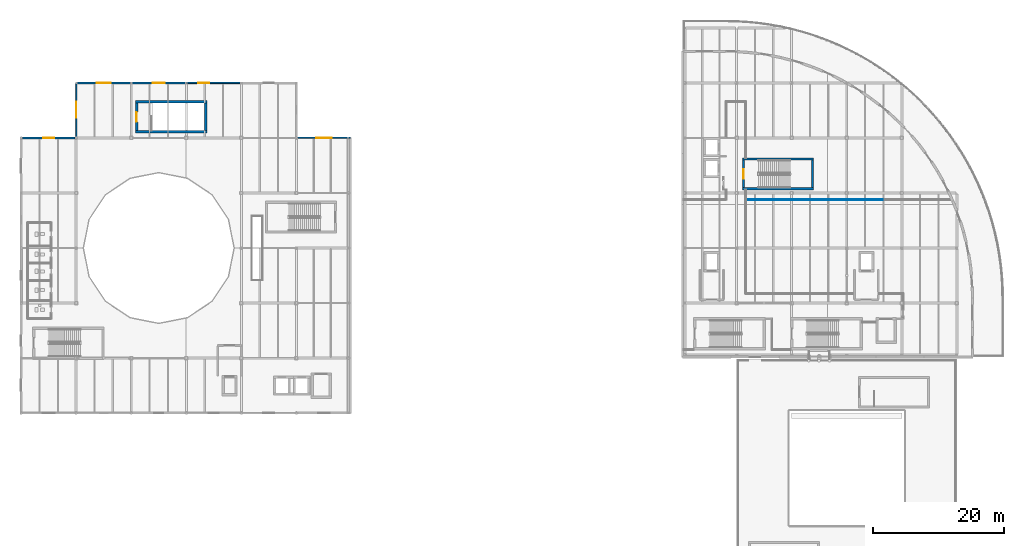
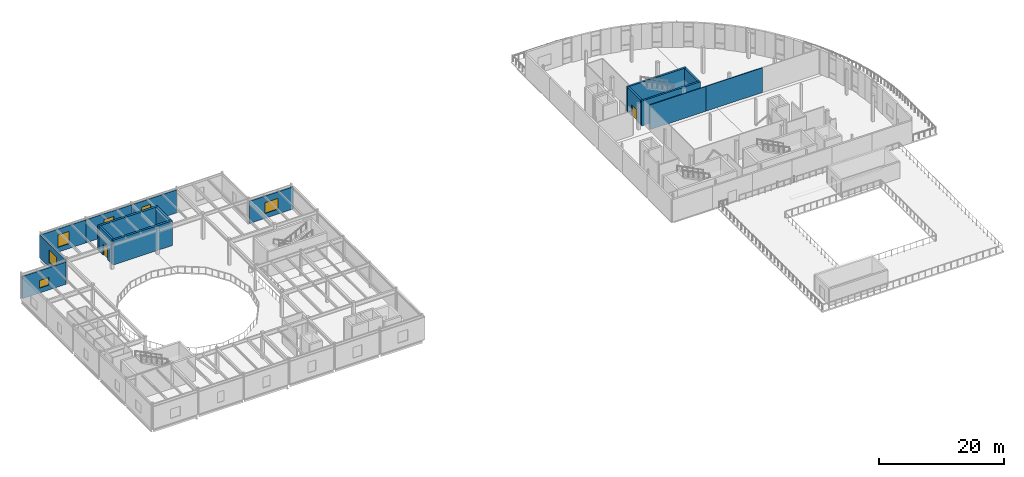
# One storey, part 35 of 57: 16 walls, 6 windows, 2 doors, 8 openings.
"""IFC4 building model written with IfcOpenShell, lengths in metres."""

from ifc_helpers import new_model, si_unit, direction, frame, frame_2d, origin, place, context, subcontext, project, spatial, rectangle, extrude, material, layer, layer_set, type_object, element, fill, save


model = new_model("IFC4")

# Units and contexts
model_context = context("Model", 3, precision=1e-05, world=origin(), true_north=direction((0.0, 1.0)))
body_context = subcontext(model_context, "Body", "Model", "MODEL_VIEW")
ifc_project = project(units=[si_unit("LENGTHUNIT", "METRE"), si_unit("AREAUNIT", "SQUARE_METRE"), si_unit("VOLUMEUNIT", "CUBIC_METRE"), si_unit("PLANEANGLEUNIT", "RADIAN"), si_unit("MASSUNIT", "GRAM", prefix="KILO"), si_unit("THERMODYNAMICTEMPERATUREUNIT", "KELVIN")], contexts=[model_context])

# Site, building, storey
site_placement = place(None, origin())
site = spatial("IfcSite", under=ifc_project, at=site_placement, CompositionType="ELEMENT")
building_placement = place(site_placement, origin())
building = spatial("IfcBuilding", under=site, at=building_placement, Name="Lustrewick Department Store", CompositionType="ELEMENT")
storey_placement = place(building_placement, frame((0.0, 0.0, 26.699951171875)))
storey = spatial("IfcBuildingStorey", under=building, at=storey_placement, Name="L06", CompositionType="ELEMENT", Elevation=26.699951171875)

# Wall, opening, window
ifc_material_1 = material(Name="Precast concrete C40", Category="concrete")
ifc_layer_1 = layer(ifc_material_1, 0.239990234375, Name="Precast concrete C40")
ifc_layer_set_1 = layer_set([ifc_layer_1], Name="Precast concrete C40")
wall_type_1 = type_object("IfcWallType", Name="EW01", PredefinedType="STANDARD", material=ifc_layer_set_1)
wall_1_placement = place(storey_placement, frame((58.64990234375, 84.0, 0.0), z_axis=(0.0, 0.0, 1.0), x_axis=(-1.0, 0.0, 0.0)))
wall_1 = element("IfcWall", 1, at=wall_1_placement, inside=storey, type_object=wall_type_1, Name="L06 V1 Exterior Wall EW01", PredefinedType="STANDARD", context=body_context, shape_type="SweptSolid", body=[
    extrude(rectangle(XDim=8.076904296875, YDim=0.239990234375, at=frame_2d((4.03857421875, 0.0))), origin(), (0.0, 0.0, 1.0), 4.3310546875),
])
opening_1_placement = place(wall_1_placement, frame((2.83837890625, 0.0, 0.949951171875)))
opening_1 = element("IfcOpeningElement", 2, at=opening_1_placement, cuts=wall_1, Name="Opening WN12", PredefinedType="OPENING", context=body_context, shape_type="SweptSolid", body=[
    extrude(rectangle(XDim=2.39990234375, YDim=2.10009765625, at=frame_2d((1.199951171875, 1.050048828125))), frame((0.0, 0.1298828125, 0.0), z_axis=(0.0, -1.0, 0.0), x_axis=(1.0, 0.0, 0.0)), (0.0, 0.0, 1.0), 0.260009765625),
])
ifc_material_2 = material(Name="Thermally broken Low-E triple-glazed window", Category="glass")
window_type_1 = type_object("IfcWindowType", Name="WN12", PartitioningType="DOUBLE_PANEL_VERTICAL", PredefinedType="WINDOW", material=ifc_material_2)
window_1_placement = place(opening_1_placement, origin())
window_1 = element("IfcWindow", 3, at=window_1_placement, inside=storey, type_object=window_type_1, Name="L06 Art Nouveau Window WN12", OverallHeight=2.10009765625, OverallWidth=2.39990234375, PartitioningType="SINGLE_PANEL", PredefinedType="WINDOW", context=body_context, shape_type="SweptSolid", body=[
    extrude(rectangle(XDim=2.39990234375, YDim=2.10009765625, at=frame_2d((1.199951171875, 1.050048828125))), frame((0.0, 0.030029296875, 0.0), z_axis=(0.0, -1.0, 0.0), x_axis=(1.0, 0.0, 0.0)), (0.0, 0.0, 1.0), 0.06005859375),
])
fill(opening_1, window_1)

wall_2_placement = place(storey_placement, frame((42.0, 92.39990234375, 0.0), z_axis=(0.0, 0.0, 1.0), x_axis=(-1.0, 0.0, 0.0)))
wall_2 = element("IfcWall", 4, at=wall_2_placement, inside=storey, type_object=wall_type_1, Name="L06 V1 Exterior Wall EW01", PredefinedType="STANDARD", context=body_context, shape_type="SweptSolid", body=[
    extrude(rectangle(XDim=8.39990234375, YDim=0.239990234375, at=frame_2d((4.199951171875, 0.0))), origin(), (0.0, 0.0, 1.0), 4.487060546875),
])
opening_2_placement = place(wall_2_placement, frame((4.8720703125, 0.0, 0.949951171875)))
opening_2 = element("IfcOpeningElement", 5, at=opening_2_placement, cuts=wall_2, Name="Opening WN15", PredefinedType="OPENING", context=body_context, shape_type="SweptSolid", body=[
    extrude(rectangle(XDim=1.679931640625, YDim=2.39990234375, at=frame_2d((0.83984375, 1.199951171875))), frame((0.0, 0.1298828125, 0.0), z_axis=(0.0, -1.0, 0.0), x_axis=(1.0, 0.0, 0.0)), (0.0, 0.0, 1.0), 0.260009765625),
])
window_type_2 = type_object("IfcWindowType", Name="WN15", PartitioningType="DOUBLE_PANEL_VERTICAL", PredefinedType="WINDOW", material=ifc_material_2)
window_2_placement = place(opening_2_placement, origin())
window_2 = element("IfcWindow", 6, at=window_2_placement, inside=storey, type_object=window_type_2, Name="L06 Art Nouveau Window WN15", OverallHeight=2.39990234375, OverallWidth=1.679931640625, PartitioningType="SINGLE_PANEL", PredefinedType="WINDOW", context=body_context, shape_type="SweptSolid", body=[
    extrude(rectangle(XDim=1.679931640625, YDim=2.39990234375, at=frame_2d((0.83984375, 1.199951171875))), frame((0.0, 0.030029296875, 0.0), z_axis=(0.0, -1.0, 0.0), x_axis=(1.0, 0.0, 0.0)), (0.0, 0.0, 1.0), 0.06005859375),
])
fill(opening_2, window_2)

wall_3_placement = place(storey_placement, frame((16.800048828125, 92.39990234375, 0.0), z_axis=(0.0, 0.0, 1.0), x_axis=(0.0, -1.0, 0.0)))
wall_3 = element("IfcWall", 7, at=wall_3_placement, inside=storey, type_object=wall_type_1, Name="L06 V1 Exterior Wall EW01", PredefinedType="STANDARD", context=body_context, shape_type="SweptSolid", body=[
    extrude(rectangle(XDim=8.226806640625, YDim=0.239990234375, at=frame_2d((4.11328125, 0.0))), origin(), (0.0, 0.0, 1.0), 4.487060546875),
])
opening_3_placement = place(wall_3_placement, frame((2.91357421875, 0.0, 0.949951171875)))
opening_3 = element("IfcOpeningElement", 8, at=opening_3_placement, cuts=wall_3, Name="Opening WN18", PredefinedType="OPENING", context=body_context, shape_type="SweptSolid", body=[
    extrude(rectangle(XDim=2.39990234375, YDim=2.39990234375, at=frame_2d((1.199951171875, 1.199951171875))), frame((0.0, 0.1298828125, 0.0), z_axis=(0.0, -1.0, 0.0), x_axis=(1.0, 0.0, 0.0)), (0.0, 0.0, 1.0), 0.260009765625),
])
window_type_3 = type_object("IfcWindowType", Name="WN18", PartitioningType="DOUBLE_PANEL_VERTICAL", PredefinedType="WINDOW", material=ifc_material_2)
window_3_placement = place(opening_3_placement, origin())
window_3 = element("IfcWindow", 9, at=window_3_placement, inside=storey, type_object=window_type_3, Name="L06 Art Nouveau Window WN18", OverallHeight=2.39990234375, OverallWidth=2.39990234375, PartitioningType="SINGLE_PANEL", PredefinedType="WINDOW", context=body_context, shape_type="SweptSolid", body=[
    extrude(rectangle(XDim=2.39990234375, YDim=2.39990234375, at=frame_2d((1.199951171875, 1.199951171875))), frame((0.0, 0.030029296875, 0.0), z_axis=(0.0, -1.0, 0.0), x_axis=(1.0, 0.0, 0.0)), (0.0, 0.0, 1.0), 0.06005859375),
])
fill(opening_3, window_3)

ifc_layer_2 = layer(ifc_material_1, 0.260009765625, Name="Precast concrete C40")
ifc_layer_set_2 = layer_set([ifc_layer_2], Name="Precast concrete C40")
wall_type_2 = type_object("IfcWallType", Name="EW02", PredefinedType="STANDARD", material=ifc_layer_set_2)
wall_4_placement = place(storey_placement, frame((33.60009765625, 92.39990234375, 0.0), z_axis=(0.0, 0.0, 1.0), x_axis=(-1.0, 0.0, 0.0)))
wall_4 = element("IfcWall", 10, at=wall_4_placement, inside=storey, type_object=wall_type_2, Name="L06 V1 Exterior Wall EW02", PredefinedType="STANDARD", context=body_context, shape_type="SweptSolid", body=[
    extrude(rectangle(XDim=8.400146484375, YDim=0.260009765625, at=frame_2d((4.2001953125, 0.0))), origin(), (0.0, 0.0, 1.0), 4.487060546875),
])
opening_4_placement = place(wall_4_placement, frame((3.300048828125, 0.0, 0.949951171875)))
opening_4 = element("IfcOpeningElement", 11, at=opening_4_placement, cuts=wall_4, Name="Opening WN16", PredefinedType="OPENING", context=body_context, shape_type="SweptSolid", body=[
    extrude(rectangle(XDim=1.800048828125, YDim=2.39990234375, at=frame_2d((0.89990234375, 1.199951171875))), frame((0.0, 0.14013671875, 0.0), z_axis=(0.0, -1.0, 0.0), x_axis=(1.0, 0.0, 0.0)), (0.0, 0.0, 1.0), 0.280029296875),
])
window_type_4 = type_object("IfcWindowType", Name="WN16", PartitioningType="DOUBLE_PANEL_VERTICAL", PredefinedType="WINDOW", material=ifc_material_2)
window_4_placement = place(opening_4_placement, origin())
window_4 = element("IfcWindow", 12, at=window_4_placement, inside=storey, type_object=window_type_4, Name="L06 Art Nouveau Window WN16", OverallHeight=2.39990234375, OverallWidth=1.800048828125, PartitioningType="SINGLE_PANEL", PredefinedType="WINDOW", context=body_context, shape_type="SweptSolid", body=[
    extrude(rectangle(XDim=1.800048828125, YDim=2.39990234375, at=frame_2d((0.89990234375, 1.199951171875))), frame((0.0, 0.030029296875, 0.0), z_axis=(0.0, -1.0, 0.0), x_axis=(1.0, 0.0, 0.0)), (0.0, 0.0, 1.0), 0.06005859375),
])
fill(opening_4, window_4)

wall_5_placement = place(storey_placement, frame((16.626953125, 84.0, 0.0), z_axis=(0.0, 0.0, 1.0), x_axis=(-1.0, 0.0, 0.0)))
wall_5 = element("IfcWall", 13, at=wall_5_placement, inside=storey, type_object=wall_type_2, Name="L06 V1 Exterior Wall EW02", PredefinedType="STANDARD", context=body_context, shape_type="SweptSolid", body=[
    extrude(rectangle(XDim=8.053955078125, YDim=0.260009765625, at=frame_2d((4.02685546875, 0.0))), origin(), (0.0, 0.0, 1.0), 4.3310546875),
])
opening_5_placement = place(wall_5_placement, frame((3.18701171875, 0.0, 0.949951171875)))
opening_5 = element("IfcOpeningElement", 14, at=opening_5_placement, cuts=wall_5, Name="Opening WN19", PredefinedType="OPENING", context=body_context, shape_type="SweptSolid", body=[
    extrude(rectangle(XDim=1.679931640625, YDim=1.5, at=frame_2d((0.83984375, 0.75))), frame((0.0, 0.14013671875, 0.0), z_axis=(0.0, -1.0, 0.0), x_axis=(1.0, 0.0, 0.0)), (0.0, 0.0, 1.0), 0.280029296875),
])
window_type_5 = type_object("IfcWindowType", Name="WN19", PartitioningType="DOUBLE_PANEL_VERTICAL", PredefinedType="WINDOW", material=ifc_material_2)
window_5_placement = place(opening_5_placement, origin())
window_5 = element("IfcWindow", 15, at=window_5_placement, inside=storey, type_object=window_type_5, Name="L06 Art Nouveau Window WN19", OverallHeight=1.5, OverallWidth=1.679931640625, PartitioningType="SINGLE_PANEL", PredefinedType="WINDOW", context=body_context, shape_type="SweptSolid", body=[
    extrude(rectangle(XDim=1.679931640625, YDim=1.5, at=frame_2d((0.83984375, 0.75))), frame((0.0, 0.030029296875, 0.0), z_axis=(0.0, -1.0, 0.0), x_axis=(1.0, 0.0, 0.0)), (0.0, 0.0, 1.0), 0.06005859375),
])
fill(opening_5, window_5)

ifc_layer_3 = layer(ifc_material_1, 0.280029296875, Name="Precast concrete C40")
ifc_layer_set_3 = layer_set([ifc_layer_3], Name="Precast concrete C40")
wall_type_3 = type_object("IfcWallType", Name="EW03", PredefinedType="STANDARD", material=ifc_layer_set_3)
wall_6_placement = place(storey_placement, frame((25.199951171875, 92.39990234375, 0.0), z_axis=(0.0, 0.0, 1.0), x_axis=(-1.0, 0.0, 0.0)))
wall_6 = element("IfcWall", 16, at=wall_6_placement, inside=storey, type_object=wall_type_3, Name="L06 V1 Exterior Wall EW03", PredefinedType="STANDARD", context=body_context, shape_type="SweptSolid", body=[
    extrude(rectangle(XDim=8.39990234375, YDim=0.280029296875, at=frame_2d((4.199951171875, 0.0))), origin(), (0.0, 0.0, 1.0), 4.487060546875),
])
opening_6_placement = place(wall_6_placement, frame((3.14990234375, 0.0, 0.949951171875)))
opening_6 = element("IfcOpeningElement", 17, at=opening_6_placement, cuts=wall_6, Name="Opening WN17", PredefinedType="OPENING", context=body_context, shape_type="SweptSolid", body=[
    extrude(rectangle(XDim=2.10009765625, YDim=2.39990234375, at=frame_2d((1.050048828125, 1.199951171875))), frame((0.0, 0.14990234375, 0.0), z_axis=(0.0, -1.0, 0.0), x_axis=(1.0, 0.0, 0.0)), (0.0, 0.0, 1.0), 0.300048828125),
])
window_type_6 = type_object("IfcWindowType", Name="WN17", PartitioningType="DOUBLE_PANEL_VERTICAL", PredefinedType="WINDOW", material=ifc_material_2)
window_6_placement = place(opening_6_placement, origin())
window_6 = element("IfcWindow", 18, at=window_6_placement, inside=storey, type_object=window_type_6, Name="L06 Art Nouveau Window WN17", OverallHeight=2.39990234375, OverallWidth=2.10009765625, PartitioningType="SINGLE_PANEL", PredefinedType="WINDOW", context=body_context, shape_type="SweptSolid", body=[
    extrude(rectangle(XDim=2.10009765625, YDim=2.39990234375, at=frame_2d((1.050048828125, 1.199951171875))), frame((0.0, 0.030029296875, 0.0), z_axis=(0.0, -1.0, 0.0), x_axis=(1.0, 0.0, 0.0)), (0.0, 0.0, 1.0), 0.06005859375),
])
fill(opening_6, window_6)

# Walls
ifc_material_3 = material(Name="Acoustic gypsum stud corridor partition", Category="gypsum")
ifc_layer_4 = layer(ifc_material_3, 0.135009765625, Name="Acoustic gypsum stud corridor partition")
ifc_layer_set_4 = layer_set([ifc_layer_4], Name="Acoustic gypsum stud corridor partition")
wall_type_4 = type_object("IfcWallType", Name="PW06", PredefinedType="PARTITIONING", material=ifc_layer_set_4)
wall_7_placement = place(storey_placement, frame((139.89990234375, 74.5439453125, 0.0), z_axis=(0.0, 0.0, 1.0), x_axis=(-1.0, 0.0, 0.0)))
element("IfcWall", 19, at=wall_7_placement, inside=storey, type_object=wall_type_4, Name="L06 Store Buying Office PW06", PredefinedType="PARTITIONING", context=body_context, shape_type="SweptSolid", body=[
    extrude(rectangle(XDim=10.44482421875, YDim=0.135009765625, at=frame_2d((5.222412109375, 0.0))), origin(), (0.0, 0.0, 1.0), 4.844970703125),
])
wall_8_placement = place(storey_placement, frame((129.455078125, 74.5439453125, 0.0), z_axis=(0.0, 0.0, 1.0), x_axis=(-1.0, 0.0, 0.0)))
element("IfcWall", 20, at=wall_8_placement, inside=storey, type_object=wall_type_4, Name="L06 Store Buying Office PW06", PredefinedType="PARTITIONING", context=body_context, shape_type="SweptSolid", body=[
    extrude(rectangle(XDim=10.382568359375, YDim=0.135009765625, at=frame_2d((5.19140625, 0.0))), origin(), (0.0, 0.0, 1.0), 4.844970703125),
])
ifc_material_4 = material(Name="Concrete C40", Category="concrete")
ifc_layer_5 = layer(ifc_material_4, 0.3798828125, Name="Concrete C40")
ifc_layer_set_5 = layer_set([ifc_layer_5], Name="Concrete C40")
wall_type_5 = type_object("IfcWallType", Name="SW03", PredefinedType="SHEAR", material=ifc_layer_set_5)
wall_9_placement = place(storey_placement, frame((25.820068359375, 84.909912109375, 0.0), z_axis=(0.0, 0.0, 1.0), x_axis=(1.0, 0.0, 0.0)))
element("IfcWall", 21, at=wall_9_placement, inside=storey, type_object=wall_type_5, Name="L06 Stair Core ST03 Shear Wall S", PredefinedType="SHEAR", context=body_context, shape_type="SweptSolid", body=[
    extrude(rectangle(XDim=10.9599609375, YDim=0.3798828125, at=frame_2d((5.47998046875, 0.0))), origin(), (0.0, 0.0, 1.0), 4.844970703125),
])
wall_10_placement = place(storey_placement, frame((36.590087890625, 85.10009765625, 0.0), z_axis=(0.0, 0.0, 1.0), x_axis=(0.0, 1.0, 0.0)))
element("IfcWall", 22, at=wall_10_placement, inside=storey, type_object=wall_type_5, Name="L06 Stair Core ST03 Shear Wall E", PredefinedType="SHEAR", context=body_context, shape_type="SweptSolid", body=[
    extrude(rectangle(XDim=4.199951171875, YDim=0.3798828125, at=frame_2d((2.10009765625, 0.0))), origin(), (0.0, 0.0, 1.0), 4.844970703125),
])
wall_11_placement = place(storey_placement, frame((36.780029296875, 89.489990234375, 0.0), z_axis=(0.0, 0.0, 1.0), x_axis=(-1.0, 0.0, 0.0)))
element("IfcWall", 23, at=wall_11_placement, inside=storey, type_object=wall_type_5, Name="L06 Stair Core ST03 Shear Wall N", PredefinedType="SHEAR", context=body_context, shape_type="SweptSolid", body=[
    extrude(rectangle(XDim=10.9599609375, YDim=0.3798828125, at=frame_2d((5.47998046875, 0.0))), origin(), (0.0, 0.0, 1.0), 4.844970703125),
])

# Wall, opening, door
wall_12_placement = place(storey_placement, frame((26.010009765625, 89.300048828125, 0.0), z_axis=(0.0, 0.0, 1.0), x_axis=(0.0, -1.0, 0.0)))
wall_12 = element("IfcWall", 24, at=wall_12_placement, inside=storey, type_object=wall_type_5, Name="L06 Stair Core ST03 Shear Wall W", PredefinedType="SHEAR", context=body_context, shape_type="SweptSolid", body=[
    extrude(rectangle(XDim=4.199951171875, YDim=0.3798828125, at=frame_2d((2.10009765625, 0.0))), origin(), (0.0, 0.0, 1.0), 4.844970703125),
])
opening_7_placement = place(wall_12_placement, frame((1.35009765625, 0.0, 0.0)))
opening_7 = element("IfcOpeningElement", 25, at=opening_7_placement, cuts=wall_12, Name="Opening D-L06-003", PredefinedType="OPENING", context=body_context, shape_type="SweptSolid", body=[
    extrude(rectangle(XDim=1.5, YDim=2.14990234375, at=frame_2d((0.75, 1.074951171875))), frame((0.0, 0.199951171875, 0.0), z_axis=(0.0, -1.0, 0.0), x_axis=(1.0, 0.0, 0.0)), (0.0, 0.0, 1.0), 0.39990234375),
])
ifc_material_5 = material(Name="Steel fire door Class B EI 60", Category="steel")
door_type = type_object("IfcDoorType", Name="DT-07", OperationType="NOTDEFINED", PredefinedType="DOOR", material=ifc_material_5)
door_1_placement = place(opening_7_placement, origin())
door_1 = element("IfcDoor", 26, at=door_1_placement, inside=storey, type_object=door_type, Name="L06 Stair ST03 Smoke-Proof Stairwell Fire Door", OperationType="SINGLE_SWING_RIGHT", OverallHeight=2.14990234375, OverallWidth=1.5, PredefinedType="DOOR", context=body_context, shape_type="SweptSolid", body=[
    extrude(rectangle(XDim=1.5, YDim=2.14990234375, at=frame_2d((0.75, 1.074951171875))), frame((0.0, 0.02490234375, 0.0), z_axis=(0.0, -1.0, 0.0), x_axis=(1.0, 0.0, 0.0)), (0.0, 0.0, 1.0), 0.050048828125),
])
fill(opening_7, door_1)

# Walls
ifc_layer_6 = layer(ifc_material_4, 0.340087890625, Name="Concrete C40")
ifc_layer_set_6 = layer_set([ifc_layer_6], Name="Concrete C40")
wall_type_6 = type_object("IfcWallType", Name="SW05", PredefinedType="SHEAR", material=ifc_layer_set_6)
wall_13_placement = place(storey_placement, frame((118.4599609375, 76.22998046875, 0.0), z_axis=(0.0, 0.0, 1.0), x_axis=(1.0, 0.0, 0.0)))
element("IfcWall", 27, at=wall_13_placement, inside=storey, type_object=wall_type_6, Name="L06 Stair Core ST10 Shear Wall S", PredefinedType="SHEAR", context=body_context, shape_type="SweptSolid", body=[
    extrude(rectangle(XDim=10.880126953125, YDim=0.340087890625, at=frame_2d((5.43994140625, 0.0))), origin(), (0.0, 0.0, 1.0), 4.844970703125),
])
wall_14_placement = place(storey_placement, frame((129.169921875, 76.39990234375, 0.0), z_axis=(0.0, 0.0, 1.0), x_axis=(0.0, 1.0, 0.0)))
element("IfcWall", 28, at=wall_14_placement, inside=storey, type_object=wall_type_6, Name="L06 Stair Core ST10 Shear Wall E", PredefinedType="SHEAR", context=body_context, shape_type="SweptSolid", body=[
    extrude(rectangle(XDim=4.2001953125, YDim=0.340087890625, at=frame_2d((2.10009765625, 0.0))), origin(), (0.0, 0.0, 1.0), 4.844970703125),
])
wall_15_placement = place(storey_placement, frame((129.340087890625, 80.77001953125, 0.0), z_axis=(0.0, 0.0, 1.0), x_axis=(-1.0, 0.0, 0.0)))
element("IfcWall", 29, at=wall_15_placement, inside=storey, type_object=wall_type_6, Name="L06 Stair Core ST10 Shear Wall N", PredefinedType="SHEAR", context=body_context, shape_type="SweptSolid", body=[
    extrude(rectangle(XDim=10.880126953125, YDim=0.340087890625, at=frame_2d((5.43994140625, 0.0))), origin(), (0.0, 0.0, 1.0), 4.844970703125),
])

# Wall, opening, door
wall_16_placement = place(storey_placement, frame((118.6298828125, 80.60009765625, 0.0), z_axis=(0.0, 0.0, 1.0), x_axis=(0.0, -1.0, 0.0)))
wall_16 = element("IfcWall", 30, at=wall_16_placement, inside=storey, type_object=wall_type_6, Name="L06 Stair Core ST10 Shear Wall W", PredefinedType="SHEAR", context=body_context, shape_type="SweptSolid", body=[
    extrude(rectangle(XDim=4.2001953125, YDim=0.340087890625, at=frame_2d((2.10009765625, 0.0))), origin(), (0.0, 0.0, 1.0), 4.844970703125),
])
opening_8_placement = place(wall_16_placement, frame((1.35009765625, 0.0, 0.0)))
opening_8 = element("IfcOpeningElement", 31, at=opening_8_placement, cuts=wall_16, Name="Opening D-L06-007", PredefinedType="OPENING", context=body_context, shape_type="SweptSolid", body=[
    extrude(rectangle(XDim=1.5, YDim=2.14990234375, at=frame_2d((0.75, 1.074951171875))), frame((0.0, 0.18017578125, 0.0), z_axis=(0.0, -1.0, 0.0), x_axis=(1.0, 0.0, 0.0)), (0.0, 0.0, 1.0), 0.360107421875),
])
door_2_placement = place(opening_8_placement, origin())
door_2 = element("IfcDoor", 32, at=door_2_placement, inside=storey, type_object=door_type, Name="L06 Smoke-Proof Stair ST10 Fire Door", OperationType="SINGLE_SWING_LEFT", OverallHeight=2.14990234375, OverallWidth=1.5, PredefinedType="DOOR", context=body_context, shape_type="SweptSolid", body=[
    extrude(rectangle(XDim=1.5, YDim=2.14990234375, at=frame_2d((0.75, 1.074951171875))), frame((0.0, 0.02490234375, 0.0), z_axis=(0.0, -1.0, 0.0), x_axis=(1.0, 0.0, 0.0)), (0.0, 0.0, 1.0), 0.050048828125),
])
fill(opening_8, door_2)

save(model, "model.ifc")
